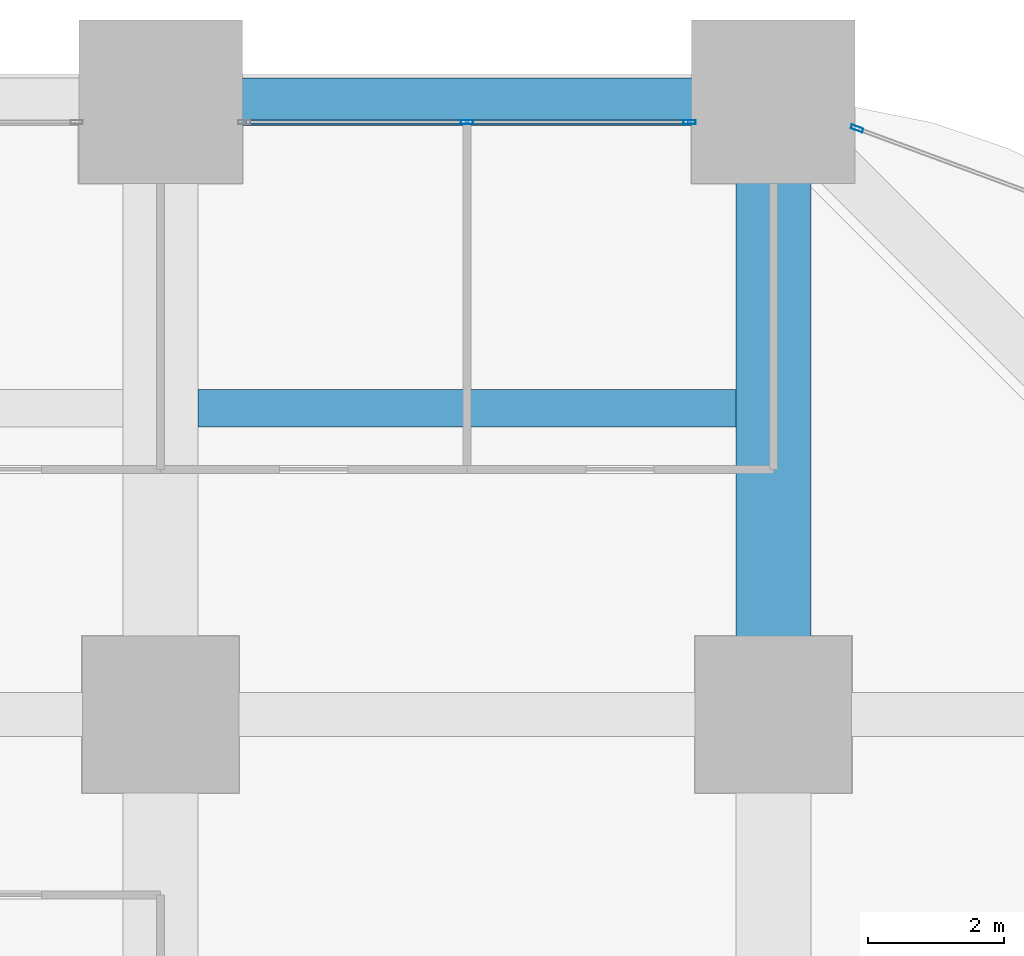
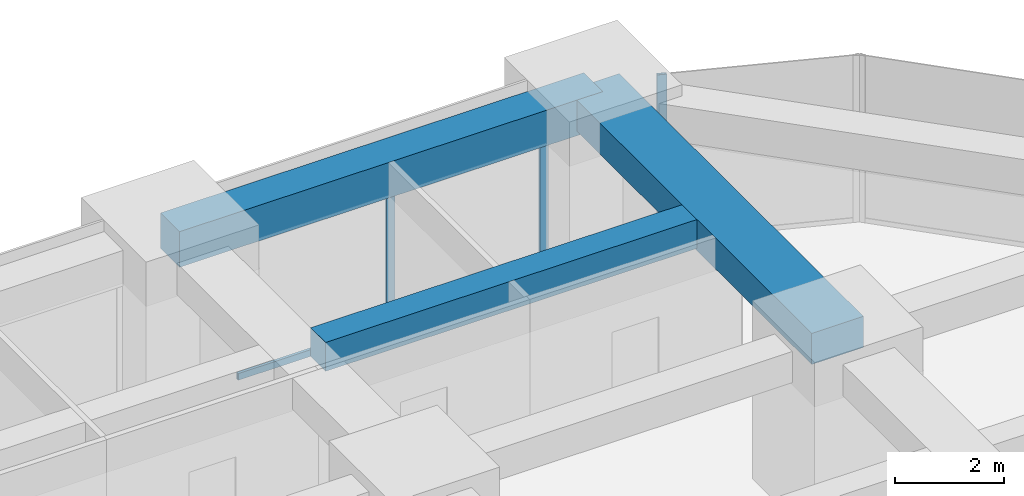
# One storey, part 36 of 44: 4 members, 3 beams, 2 elements without a shape of their own.
"""IFC4 building model written with IfcOpenShell, lengths in metres."""

from ifc_helpers import new_model, si_unit, direction, frame, origin, origin_2d, place, context, subcontext, project, spatial, rectangle, hollow_rectangle, extrude, material, material_profile, profile_set, type_object, element, aggregate, save


model = new_model("IFC4")

# Units and contexts
model_context = context("Model", 3, precision=1e-05, world=origin(), true_north=direction((0.0, 1.0)))
body_context = subcontext(model_context, "Body", "Model", "MODEL_VIEW")
ifc_project = project(units=[si_unit("LENGTHUNIT", "METRE"), si_unit("AREAUNIT", "SQUARE_METRE"), si_unit("VOLUMEUNIT", "CUBIC_METRE"), si_unit("PLANEANGLEUNIT", "RADIAN"), si_unit("MASSUNIT", "GRAM", prefix="KILO")], contexts=[model_context])

# Site, building, storey
site_placement = place(None, origin())
site = spatial("IfcSite", under=ifc_project, at=site_placement, CompositionType="ELEMENT")
building_placement = place(site_placement, origin())
building = spatial("IfcBuilding", under=site, at=building_placement, Name="Zorevar Civic Tower", CompositionType="ELEMENT")
storey_placement = place(building_placement, frame((0.0, 0.0, 31.800048828125)))
storey = spatial("IfcBuildingStorey", under=building, at=storey_placement, Name="L07", CompositionType="ELEMENT", Elevation=31.800048828125)

# Beams
ifc_material_1 = material(Name="Concrete C50/60", Category="concrete")
ifc_material_profile_1 = material_profile(ifc_material_1, rectangle(XDim=1.10009765625, YDim=0.699951171875, at=origin_2d()), Name="RC 1100x700")
ifc_profile_set_1 = profile_set([ifc_material_profile_1], Name="Concrete C50/60")
beam_type_1 = type_object("IfcBeamType", Name="Beam RC 1100x700", PredefinedType="BEAM", material=ifc_profile_set_1)
beam_1_placement = place(storey_placement, frame((54.0, 45.0, 3.39990234375), z_axis=(0.0, 1.0, 0.0), x_axis=(-1.0, 0.0, 0.0)))
element("IfcBeam", 1, at=beam_1_placement, inside=storey, type_object=beam_type_1, Name="Girder L08", PredefinedType="BEAM", context=body_context, shape_type="SweptSolid", body=[
    extrude(rectangle(XDim=1.10009765625, YDim=0.699951171875, at=origin_2d()), origin(), (0.0, 0.0, 1.0), 9.0),
])
ifc_material_2 = material(Name="Concrete C50/60", Category="concrete")
ifc_material_profile_2 = material_profile(ifc_material_2, rectangle(XDim=0.550048828125, YDim=0.64990234375, at=origin_2d()), Name="RC 550x650")
ifc_profile_set_2 = profile_set([ifc_material_profile_2], Name="Concrete C50/60")
beam_type_2 = type_object("IfcBeamType", Name="Beam RC 550x650", PredefinedType="BEAM", material=ifc_profile_set_2)
beam_2_placement = place(storey_placement, frame((45.550048828125, 49.5, 3.425048828125), z_axis=(1.0, 0.0, 0.0), x_axis=(0.0, 1.0, 0.0)))
element("IfcBeam", 2, at=beam_2_placement, inside=storey, type_object=beam_type_2, Name="Secondary beam L08", PredefinedType="BEAM", context=body_context, shape_type="SweptSolid", body=[
    extrude(rectangle(XDim=0.550048828125, YDim=0.64990234375, at=origin_2d()), origin(), (0.0, 0.0, 1.0), 7.89990234375),
])

# Curtain wall, members
ifc_material_3 = material(Name="Dark grey solar-control glass in black aluminium frame", Category="aluminium")
curtain_wall_type = type_object("IfcCurtainWallType", Name="Curtain wall CW2 low zone", PredefinedType="NOTDEFINED", material=ifc_material_3)
curtain_wall_1_placement = place(storey_placement, origin())
curtain_wall_1 = element("IfcCurtainWall", 3, at=curtain_wall_1_placement, inside=storey, type_object=curtain_wall_type, Name="CW2 L07", PredefinedType="NOTDEFINED")
ifc_material_4 = material(Name="Aluminium, black anodised", Category="aluminium")
ifc_material_profile_3 = material_profile(ifc_material_4, hollow_rectangle(XDim=0.06005859375, YDim=0.179931640625, WallThickness=0.00390625, at=origin_2d()), Name="AL 180x60x4")
ifc_profile_set_3 = profile_set([ifc_material_profile_3], Name="Aluminium, black anodised")
member_type_1 = type_object("IfcMemberType", Name="CW2 mullion AL 180x60x4", PredefinedType="MULLION", material=ifc_profile_set_3)
member_1_placement = place(storey_placement, frame((49.5, 53.699951171875, 0.06005859375), z_axis=(0.0, 0.0, 1.0), x_axis=(0.0, 1.0, 0.0)))
member_1 = element("IfcMember", 4, at=member_1_placement, type_object=member_type_1, Name="CW2 mullion 2", PredefinedType="MULLION", context=body_context, shape_type="SweptSolid", body=[
    extrude(hollow_rectangle(XDim=0.06005859375, YDim=0.179931640625, WallThickness=0.00390625, at=origin_2d()), origin(), (0.0, 0.0, 1.0), 2.889892578125),
])
member_2_placement = place(storey_placement, frame((52.77001953125, 53.699951171875, 0.0), z_axis=(0.0, 0.0, 1.0), x_axis=(0.0, 1.0, 0.0)))
member_2 = element("IfcMember", 5, at=member_2_placement, type_object=member_type_1, Name="CW2 mullion 3", PredefinedType="MULLION", context=body_context, shape_type="SweptSolid", body=[
    extrude(hollow_rectangle(XDim=0.06005859375, YDim=0.179931640625, WallThickness=0.00390625, at=origin_2d()), origin(), (0.0, 0.0, 1.0), 2.949951171875),
])

# Curtain wall, member
curtain_wall_2_placement = place(storey_placement, origin())
curtain_wall_2 = element("IfcCurtainWall", 6, at=curtain_wall_2_placement, inside=storey, type_object=curtain_wall_type, Name="CW2 L07", PredefinedType="NOTDEFINED")
member_3_placement = place(storey_placement, frame((55.22802734375, 53.6064453125, 0.0), z_axis=(0.0, 0.0, 1.0), x_axis=(-0.346704012033, -0.937974588163, 0.0)))
member_3 = element("IfcMember", 7, at=member_3_placement, type_object=member_type_1, Name="CW2 mullion 2", PredefinedType="MULLION", context=body_context, shape_type="SweptSolid", body=[
    extrude(hollow_rectangle(XDim=0.06005859375, YDim=0.179931640625, WallThickness=0.00390625, at=origin_2d()), origin(), (0.0, 0.0, 1.0), 3.75),
])
aggregate(curtain_wall_2, [member_3])

# Member
ifc_material_5 = material(Name="Aluminium, black anodised", Category="aluminium")
ifc_material_profile_4 = material_profile(ifc_material_5, hollow_rectangle(XDim=0.06005859375, YDim=0.14990234375, WallThickness=0.00390625, at=origin_2d()), Name="AL 150x60x4")
ifc_profile_set_4 = profile_set([ifc_material_profile_4], Name="Aluminium, black anodised")
member_type_2 = type_object("IfcMemberType", Name="CW2 transom AL 150x60x4", PredefinedType="USERDEFINED", material=ifc_profile_set_4)
member_4_placement = place(storey_placement, frame((46.260009765625, 53.699951171875, 0.030029296875), z_axis=(1.0, 0.0, 0.0), x_axis=(0.0, 1.0, 0.0)))
member_4 = element("IfcMember", 8, at=member_4_placement, type_object=member_type_2, Name="CW2 sill transom", ObjectType="TRANSOM", PredefinedType="USERDEFINED", context=body_context, shape_type="SweptSolid", body=[
    extrude(hollow_rectangle(XDim=0.06005859375, YDim=0.14990234375, WallThickness=0.00390625, at=origin_2d()), origin(), (0.0, 0.0, 1.0), 6.47998046875),
])

aggregate(curtain_wall_1, [member_1, member_2, member_4])

# Beam
ifc_material_6 = material(Name="Concrete C50/60", Category="concrete")
ifc_material_profile_5 = material_profile(ifc_material_6, rectangle(XDim=0.699951171875, YDim=0.800048828125, at=origin_2d()), Name="RC 700x800")
ifc_profile_set_5 = profile_set([ifc_material_profile_5], Name="Concrete C50/60")
beam_type_3 = type_object("IfcBeamType", Name="Edge beam RC 700x800", PredefinedType="SPANDREL", material=ifc_profile_set_5)
beam_3_placement = place(storey_placement, frame((45.0, 54.0, 3.349853515625), z_axis=(1.0, 0.0, 0.0), x_axis=(0.0, 1.0, 0.0)))
element("IfcBeam", 9, at=beam_3_placement, inside=storey, type_object=beam_type_3, Name="Edge beam L08", PredefinedType="SPANDREL", context=body_context, shape_type="SweptSolid", body=[
    extrude(rectangle(XDim=0.699951171875, YDim=0.800048828125, at=origin_2d()), origin(), (0.0, 0.0, 1.0), 9.0),
])

save(model, "model.ifc")
